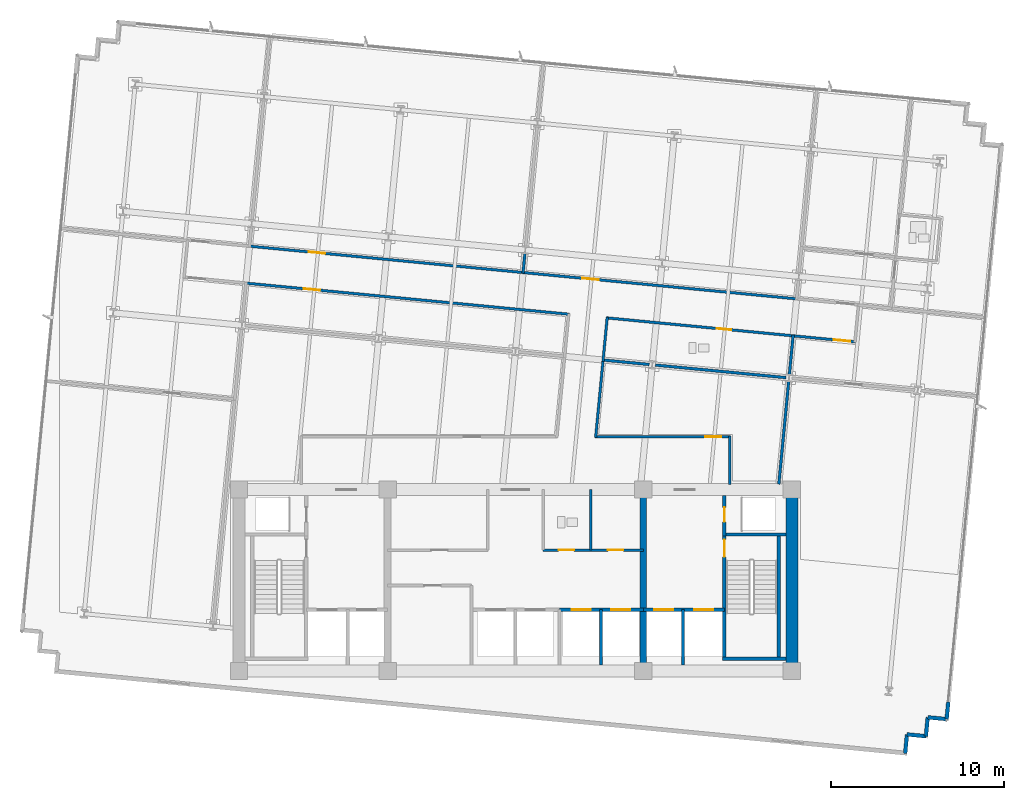
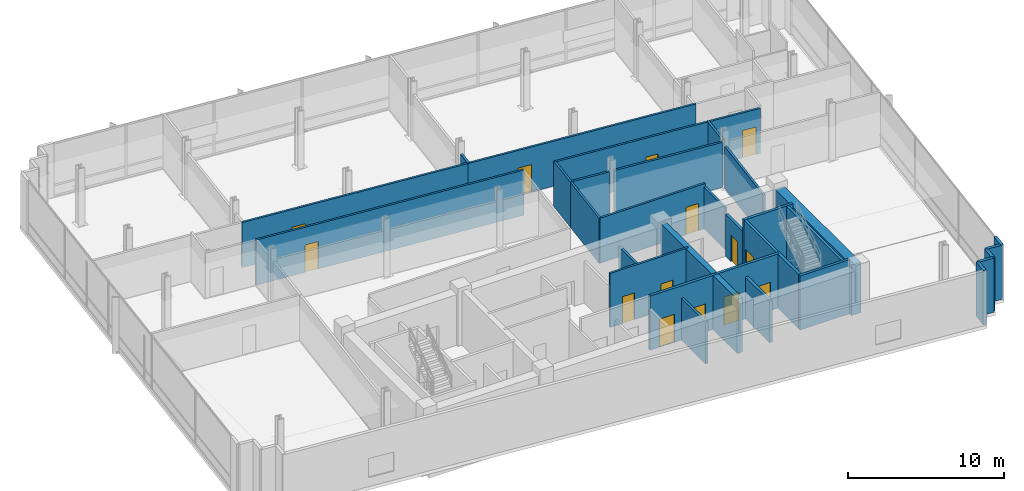
# One storey, part 12 of 17: 32 walls, 14 doors, 14 openings.
"""IFC4 building model written with IfcOpenShell, lengths in metres."""

from ifc_helpers import new_model, si_unit, direction, frame, frame_2d, origin, place, context, subcontext, project, spatial, rectangle, extrude, material, layer, layer_set, type_object, element, fill, save


model = new_model("IFC4")

# Units and contexts
model_context = context("Model", 3, precision=1e-05, world=origin(), true_north=direction((0.0, 1.0)))
body_context = subcontext(model_context, "Body", "Model", "MODEL_VIEW")
ifc_project = project(units=[si_unit("LENGTHUNIT", "METRE"), si_unit("AREAUNIT", "SQUARE_METRE"), si_unit("VOLUMEUNIT", "CUBIC_METRE"), si_unit("PLANEANGLEUNIT", "RADIAN"), si_unit("MASSUNIT", "GRAM", prefix="KILO")], contexts=[model_context])

# Site, building, storey
site_placement = place(None, origin())
site = spatial("IfcSite", under=ifc_project, at=site_placement, CompositionType="ELEMENT")
building_placement = place(site_placement, origin())
building = spatial("IfcBuilding", under=site, at=building_placement, Name="Solmavex Isthmus Hotel", CompositionType="ELEMENT")
storey_placement = place(building_placement, frame((0.0, 0.0, 177.300048828125)))
storey = spatial("IfcBuildingStorey", under=building, at=storey_placement, Name="L48", CompositionType="ELEMENT", Elevation=177.300048828125)

# Walls
ifc_material_1 = material(Name="Precast Concrete C40/50", Category="concrete")
ifc_layer_1 = layer(ifc_material_1, 0.25)
ifc_layer_set_1 = layer_set([ifc_layer_1], Name="Precast Concrete C40/50")
wall_type_1 = type_object("IfcWallType", Name="EW-TWR-250", PredefinedType="STANDARD", material=ifc_layer_set_1)
wall_1_placement = place(storey_placement, frame((25.0615234375, -14.804931640625, 0.0), z_axis=(0.0, 0.0, 1.0), x_axis=(-0.095914428506, -0.995389583231, 0.0)))
element("IfcWall", 1, at=wall_1_placement, inside=storey, type_object=wall_type_1, Name="Serrated Corner Facade Panel L48-21", PredefinedType="STANDARD", context=body_context, shape_type="SweptSolid", body=[
    extrude(rectangle(XDim=0.990234375, YDim=0.219970703125, at=frame_2d((0.4951171875, 0.0))), origin(), (0.0, 0.0, 1.0), 4.239990234375),
])
for number, where, z_axis, x_axis, name in (
    (2, (24.966552734375, -15.79052734375, 0.0), (0.0, 0.0, 1.0), (-0.995393156894, 0.095877334176, 0.0), "Serrated Corner Facade Panel L48-22"),
    (3, (23.87158203125, -15.68505859375, 0.0), (0.0, 0.0, 1.0), (-0.095877334176, -0.995393156894, 0.0), "Serrated Corner Facade Panel L48-23"),
    (4, (23.76611328125, -16.780029296875, 0.0), (0.0, 0.0, 1.0), (-0.995393156894, 0.095877334176, 0.0), "Serrated Corner Facade Panel L48-24"),
    (5, (22.671142578125, -16.674560546875, 0.0), (0.0, 0.0, 1.0), (-0.095657429048, -0.995414313875, 0.0), "Serrated Corner Facade Panel L48-25"),
):
    element("IfcWall", number, at=place(storey_placement, frame(where, z_axis=z_axis, x_axis=x_axis)), inside=storey, type_object=wall_type_1, Name=name, PredefinedType="STANDARD", context=body_context, shape_type="SweptSolid", body=[
        extrude(rectangle(XDim=1.10009765625, YDim=0.219970703125, at=frame_2d((0.550048828125, 0.0))), origin(), (0.0, 0.0, 1.0), 4.239990234375),
    ])
ifc_material_2 = material(Name="Gypsum plasterboard lining", Category="gypsum")
ifc_layer_2 = layer(ifc_material_2, 0.159912109375)
ifc_layer_set_2 = layer_set([ifc_layer_2], Name="Gypsum plasterboard lining")
wall_type_2 = type_object("IfcWallType", Name="IW-COMP-160", PredefinedType="PARTITIONING", material=ifc_layer_set_2)
wall_2_placement = place(storey_placement, frame((0.55078125, 11.196044921875, 0.0), z_axis=(0.0, 0.0, 1.0), x_axis=(-0.096017994315, -0.995379598328, 0.0)))
element("IfcWall", 6, at=wall_2_placement, inside=storey, type_object=wall_type_2, Name="Interior Partition Wall W-L48-P023", PredefinedType="PARTITIONING", context=body_context, shape_type="SweptSolid", body=[
    extrude(rectangle(XDim=1.172119140625, YDim=0.159912109375, at=frame_2d((0.5859375, 0.0))), origin(), (0.0, 0.0, 1.0), 3.529541015625),
])
wall_3_placement = place(storey_placement, frame((16.07861328125, 6.44384765625, 0.0), z_axis=(0.0, 0.0, 1.0), x_axis=(-0.095794827695, -0.995401100555, 0.0)))
element("IfcWall", 7, at=wall_3_placement, inside=storey, type_object=wall_type_2, Name="Interior Partition Wall W-L48-P039", PredefinedType="PARTITIONING", context=body_context, shape_type="SweptSolid", body=[
    extrude(rectangle(XDim=2.314208984375, YDim=0.159912109375, at=frame_2d((1.1572265625, 0.0))), origin(), (0.0, 0.0, 1.0), 3.529541015625),
])
wall_4_placement = place(storey_placement, frame((7.745361328125, 4.74462890625, 0.0), z_axis=(0.0, 0.0, 1.0), x_axis=(-0.995392910691, 0.095879890208, 0.0)))
element("IfcWall", 8, at=wall_4_placement, inside=storey, type_object=wall_type_2, Name="Interior Partition Wall W-L48-P040", PredefinedType="PARTITIONING", context=body_context, shape_type="SweptSolid", body=[
    extrude(rectangle(XDim=2.721923828125, YDim=0.159912109375, at=frame_2d((1.36083984375, 0.0))), origin(), (0.0, 0.0, 1.0), 3.529541015625),
])
wall_5_placement = place(storey_placement, frame((15.664794921875, 3.982177734375, 0.0), z_axis=(0.0, 0.0, 1.0), x_axis=(-0.995396667246, 0.095840882902, 0.0)))
element("IfcWall", 9, at=wall_5_placement, inside=storey, type_object=wall_type_2, Name="Interior Partition Wall W-L48-P041", PredefinedType="PARTITIONING", context=body_context, shape_type="SweptSolid", body=[
    extrude(rectangle(XDim=7.603759765625, YDim=0.159912109375, at=frame_2d((3.8017578125, 0.0))), origin(), (0.0, 0.0, 1.0), 3.529541015625),
])
wall_6_placement = place(storey_placement, frame((15.8232421875, 3.7900390625, 0.0), z_axis=(0.0, 0.0, 1.0), x_axis=(-0.095865726078, -0.99539427493, 0.0)))
element("IfcWall", 10, at=wall_6_placement, inside=storey, type_object=wall_type_2, Name="Interior Partition Wall W-L48-P048", PredefinedType="PARTITIONING", context=body_context, shape_type="SweptSolid", body=[
    extrude(rectangle(XDim=6.007568359375, YDim=0.159912109375, at=frame_2d((3.00390625, 0.0))), origin(), (0.0, 0.0, 1.0), 3.27490234375),
])

# Wall, openings, doors
ifc_layer_3 = layer(ifc_material_2, 0.14990234375)
ifc_layer_set_3 = layer_set([ifc_layer_3], Name="Gypsum plasterboard lining")
wall_type_3 = type_object("IfcWallType", Name="IW-CORR-150", PredefinedType="PARTITIONING", material=ifc_layer_set_3)
wall_7_placement = place(storey_placement, frame((1.60009765625, -6.0, 0.0), z_axis=(0.0, 0.0, 1.0), x_axis=(1.0, 0.0, 0.0)))
wall_7 = element("IfcWall", 11, at=wall_7_placement, inside=storey, type_object=wall_type_3, Name="Interior Partition Wall W-L48-BOH-ES", PredefinedType="PARTITIONING", context=body_context, shape_type="SweptSolid", body=[
    extrude(rectangle(XDim=5.7998046875, YDim=0.14990234375, at=frame_2d((2.89990234375, 0.0))), origin(), (0.0, 0.0, 1.0), 4.239990234375),
])
opening_1_placement = place(wall_7_placement, frame((0.89990234375, 0.0, 0.0)))
opening_1 = element("IfcOpeningElement", 12, at=opening_1_placement, cuts=wall_7, Name="Opening ID-C090", PredefinedType="OPENING", context=body_context, shape_type="SweptSolid", body=[
    extrude(rectangle(XDim=0.89990234375, YDim=2.10009765625, at=frame_2d((0.449951171875, 1.050048828125))), frame((0.0, 0.0849609375, 0.0), z_axis=(0.0, -1.0, 0.0), x_axis=(1.0, 0.0, 0.0)), (0.0, 0.0, 1.0), 0.169921875),
])
opening_2_placement = place(wall_7_placement, frame((3.75, 0.0, 0.0)))
opening_2 = element("IfcOpeningElement", 13, at=opening_2_placement, cuts=wall_7, Name="Opening ID-C090", PredefinedType="OPENING", context=body_context, shape_type="SweptSolid", body=[
    extrude(rectangle(XDim=0.89990234375, YDim=2.10009765625, at=frame_2d((0.449951171875, 1.050048828125))), frame((0.0, 0.0849609375, 0.0), z_axis=(0.0, -1.0, 0.0), x_axis=(1.0, 0.0, 0.0)), (0.0, 0.0, 1.0), 0.169921875),
])
ifc_material_3 = material(Name="Hardwood timber", Category="wood")
door_type_1 = type_object("IfcDoorType", Name="IDR-FD60-0900", OperationType="NOTDEFINED", PredefinedType="DOOR", material=ifc_material_3)
door_1_placement = place(opening_1_placement, frame((0.89990234375, 0.0, 0.0), z_axis=(0.0, 0.0, 1.0), x_axis=(-1.0, 0.0, 0.0)))
door_1 = element("IfcDoor", 14, at=door_1_placement, inside=storey, type_object=door_type_1, Name="Staff WC Door L48", OperationType="SINGLE_SWING_RIGHT", OverallHeight=2.10009765625, OverallWidth=0.89990234375, PredefinedType="DOOR", context=body_context, shape_type="SweptSolid", body=[
    extrude(rectangle(XDim=0.89990234375, YDim=2.10009765625, at=frame_2d((0.449951171875, 1.050048828125))), frame((0.0, 0.02490234375, 0.0), z_axis=(0.0, -1.0, 0.0), x_axis=(1.0, 0.0, 0.0)), (0.0, 0.0, 1.0), 0.050048828125),
])
fill(opening_1, door_1)
door_2_placement = place(opening_2_placement, frame((0.89990234375, 0.0, 0.0), z_axis=(0.0, 0.0, 1.0), x_axis=(-1.0, 0.0, 0.0)))
door_2 = element("IfcDoor", 15, at=door_2_placement, inside=storey, type_object=door_type_1, Name="Pantry Door L48", OperationType="SINGLE_SWING_LEFT", OverallHeight=2.10009765625, OverallWidth=0.89990234375, PredefinedType="DOOR", context=body_context, shape_type="SweptSolid", body=[
    extrude(rectangle(XDim=0.89990234375, YDim=2.10009765625, at=frame_2d((0.449951171875, 1.050048828125))), frame((0.0, 0.02490234375, 0.0), z_axis=(0.0, -1.0, 0.0), x_axis=(1.0, 0.0, 0.0)), (0.0, 0.0, 1.0), 0.050048828125),
])
fill(opening_2, door_2)

# Wall, opening, door
wall_8_placement = place(storey_placement, frame((-15.478271484375, 11.60205078125, 0.0), z_axis=(0.0, 0.0, 1.0), x_axis=(0.995396443768, -0.095843203903, 0.0)))
wall_8 = element("IfcWall", 16, at=wall_8_placement, inside=storey, type_object=wall_type_3, Name="Interior Partition Wall W-L48-P002", PredefinedType="PARTITIONING", context=body_context, shape_type="SweptSolid", body=[
    extrude(rectangle(XDim=16.075927734375, YDim=0.14990234375, at=frame_2d((8.0380859375, 0.0))), origin(), (0.0, 0.0, 1.0), 3.529541015625),
])
opening_3_placement = place(wall_8_placement, frame((3.531982421875, 0.0, 0.0)))
opening_3 = element("IfcOpeningElement", 17, at=opening_3_placement, cuts=wall_8, Name="Opening ID-C095", PredefinedType="OPENING", context=body_context, shape_type="SweptSolid", body=[
    extrude(rectangle(XDim=0.949951171875, YDim=2.14990234375, at=frame_2d((0.47509765625, 1.074951171875))), frame((0.0, 0.0849609375, 0.0), z_axis=(0.0, -1.0, 0.0), x_axis=(1.0, 0.0, 0.0)), (0.0, 0.0, 1.0), 0.169921875),
])
door_type_2 = type_object("IfcDoorType", Name="IDR-FD60-0950", OperationType="NOTDEFINED", PredefinedType="DOOR", material=ifc_material_3)
door_3_placement = place(opening_3_placement, frame((0.949951171875, 0.0, 0.0), z_axis=(0.0, 0.0, 1.0), x_axis=(-1.0, 0.0, 0.0)))
door_3 = element("IfcDoor", 18, at=door_3_placement, inside=storey, type_object=door_type_2, Name="Corporate Briefing Office Door L48-02", OperationType="SINGLE_SWING_RIGHT", OverallHeight=2.14990234375, OverallWidth=0.949951171875, PredefinedType="DOOR", context=body_context, shape_type="SweptSolid", body=[
    extrude(rectangle(XDim=0.949951171875, YDim=2.14990234375, at=frame_2d((0.47509765625, 1.074951171875))), frame((0.0, 0.02490234375, 0.0), z_axis=(0.0, -1.0, 0.0), x_axis=(1.0, 0.0, 0.0)), (0.0, 0.0, 1.0), 0.050048828125),
])
fill(opening_3, door_3)

wall_9_placement = place(storey_placement, frame((0.360595703125, 10.076904296875, 0.0), z_axis=(0.0, 0.0, 1.0), x_axis=(0.995396443768, -0.095843203903, 0.0)))
wall_9 = element("IfcWall", 19, at=wall_9_placement, inside=storey, type_object=wall_type_3, Name="Interior Partition Wall W-L48-P003", PredefinedType="PARTITIONING", context=body_context, shape_type="SweptSolid", body=[
    extrude(rectangle(XDim=16.075927734375, YDim=0.14990234375, at=frame_2d((8.0380859375, 0.0))), origin(), (0.0, 0.0, 1.0), 3.529541015625),
])
opening_4_placement = place(wall_9_placement, frame((3.531982421875, 0.0, 0.0)))
opening_4 = element("IfcOpeningElement", 20, at=opening_4_placement, cuts=wall_9, Name="Opening ID-C095", PredefinedType="OPENING", context=body_context, shape_type="SweptSolid", body=[
    extrude(rectangle(XDim=0.949951171875, YDim=2.14990234375, at=frame_2d((0.47509765625, 1.074951171875))), frame((0.0, 0.0849609375, 0.0), z_axis=(0.0, -1.0, 0.0), x_axis=(1.0, 0.0, 0.0)), (0.0, 0.0, 1.0), 0.169921875),
])
door_4_placement = place(opening_4_placement, frame((0.949951171875, 0.0, 0.0), z_axis=(0.0, 0.0, 1.0), x_axis=(-1.0, 0.0, 0.0)))
door_4 = element("IfcDoor", 21, at=door_4_placement, inside=storey, type_object=door_type_2, Name="Corporate Briefing Office Door L48-03", OperationType="SINGLE_SWING_LEFT", OverallHeight=2.14990234375, OverallWidth=0.949951171875, PredefinedType="DOOR", context=body_context, shape_type="SweptSolid", body=[
    extrude(rectangle(XDim=0.949951171875, YDim=2.14990234375, at=frame_2d((0.47509765625, 1.074951171875))), frame((0.0, 0.02490234375, 0.0), z_axis=(0.0, -1.0, 0.0), x_axis=(1.0, 0.0, 0.0)), (0.0, 0.0, 1.0), 0.050048828125),
])
fill(opening_4, door_4)

wall_10_placement = place(storey_placement, frame((16.156494140625, 6.39599609375, 0.0), z_axis=(0.0, 0.0, 1.0), x_axis=(-0.99539478422, 0.095860437863, 0.0)))
wall_10 = element("IfcWall", 22, at=wall_10_placement, inside=storey, type_object=wall_type_3, Name="Interior Partition Wall W-L48-P005", PredefinedType="PARTITIONING", context=body_context, shape_type="SweptSolid", body=[
    extrude(rectangle(XDim=10.93603515625, YDim=0.14990234375, at=frame_2d((5.468017578125, 0.0))), origin(), (0.0, 0.0, 1.0), 3.529541015625),
])
opening_5_placement = place(wall_10_placement, frame((3.675048828125, 0.0, 0.0)))
opening_5 = element("IfcOpeningElement", 23, at=opening_5_placement, cuts=wall_10, Name="Opening ID-R085", PredefinedType="OPENING", context=body_context, shape_type="SweptSolid", body=[
    extrude(rectangle(XDim=0.85009765625, YDim=2.050048828125, at=frame_2d((0.425048828125, 1.02490234375))), frame((0.0, 0.0849609375, 0.0), z_axis=(0.0, -1.0, 0.0), x_axis=(1.0, 0.0, 0.0)), (0.0, 0.0, 1.0), 0.169921875),
])
ifc_material_4 = material(Name="Steel ASTM A500 Grade C", Category="steel")
door_type_3 = type_object("IfcDoorType", Name="IDR-FD60-0850", OperationType="NOTDEFINED", PredefinedType="DOOR", material=ifc_material_4)
door_5_placement = place(opening_5_placement, frame((0.85009765625, 0.0, 0.0), z_axis=(0.0, 0.0, 1.0), x_axis=(-1.0, 0.0, 0.0)))
door_5 = element("IfcDoor", 24, at=door_5_placement, inside=storey, type_object=door_type_3, Name="Accessible Public Restroom WC Door L48-08", OperationType="SINGLE_SWING_RIGHT", OverallHeight=2.050048828125, OverallWidth=0.85009765625, PredefinedType="DOOR", context=body_context, shape_type="SweptSolid", body=[
    extrude(rectangle(XDim=0.85009765625, YDim=2.050048828125, at=frame_2d((0.425048828125, 1.02490234375))), frame((0.0, 0.02490234375, 0.0), z_axis=(0.0, -1.0, 0.0), x_axis=(1.0, 0.0, 0.0)), (0.0, 0.0, 1.0), 0.050048828125),
])
fill(opening_5, door_5)

# Wall
wall_11_placement = place(storey_placement, frame((5.314453125, 7.480224609375, 0.0), z_axis=(0.0, 0.0, 1.0), x_axis=(-0.09587519517, -0.995393362923, 0.0)))
element("IfcWall", 25, at=wall_11_placement, inside=storey, type_object=wall_type_3, Name="Interior Partition Wall W-L48-P006", PredefinedType="PARTITIONING", context=body_context, shape_type="SweptSolid", body=[
    extrude(rectangle(XDim=2.572021484375, YDim=0.14990234375, at=frame_2d((1.2861328125, 0.0))), origin(), (0.0, 0.0, 1.0), 3.529541015625),
])

# Wall, opening, door
wall_12_placement = place(storey_placement, frame((19.697998046875, 6.05517578125, 0.0), z_axis=(0.0, 0.0, 1.0), x_axis=(-0.995397364202, 0.095833644092, 0.0)))
wall_12 = element("IfcWall", 26, at=wall_12_placement, inside=storey, type_object=wall_type_3, Name="Interior Partition Wall W-L48-P008", PredefinedType="PARTITIONING", context=body_context, shape_type="SweptSolid", body=[
    extrude(rectangle(XDim=3.721923828125, YDim=0.14990234375, at=frame_2d((1.86083984375, 0.0))), origin(), (0.0, 0.0, 1.0), 3.529541015625),
])
opening_6_placement = place(wall_12_placement, frame((0.315185546875, 0.0, 0.0)))
opening_6 = element("IfcOpeningElement", 27, at=opening_6_placement, cuts=wall_12, Name="Opening ID-C095", PredefinedType="OPENING", context=body_context, shape_type="SweptSolid", body=[
    extrude(rectangle(XDim=0.949951171875, YDim=2.14990234375, at=frame_2d((0.47509765625, 1.074951171875))), frame((0.0, 0.0849609375, 0.0), z_axis=(0.0, -1.0, 0.0), x_axis=(1.0, 0.0, 0.0)), (0.0, 0.0, 1.0), 0.169921875),
])
door_6_placement = place(opening_6_placement, frame((0.949951171875, 0.0, 0.0), z_axis=(0.0, 0.0, 1.0), x_axis=(-1.0, 0.0, 0.0)))
door_6 = element("IfcDoor", 28, at=door_6_placement, inside=storey, type_object=door_type_2, Name="Catering Servery Kitchen Door L48-09", OperationType="SINGLE_SWING_LEFT", OverallHeight=2.14990234375, OverallWidth=0.949951171875, PredefinedType="DOOR", context=body_context, shape_type="SweptSolid", body=[
    extrude(rectangle(XDim=0.949951171875, YDim=2.14990234375, at=frame_2d((0.47509765625, 1.074951171875))), frame((0.0, 0.02490234375, 0.0), z_axis=(0.0, -1.0, 0.0), x_axis=(1.0, 0.0, 0.0)), (0.0, 0.0, 1.0), 0.050048828125),
])
fill(opening_6, door_6)

wall_13_placement = place(storey_placement, frame((3.120849609375, 7.6513671875, 0.0), z_axis=(0.0, 0.0, 1.0), x_axis=(-0.995397135603, 0.095836018457, 0.0)))
wall_13 = element("IfcWall", 29, at=wall_13_placement, inside=storey, type_object=wall_type_3, Name="Interior Partition Wall W-L48-P010", PredefinedType="PARTITIONING", context=body_context, shape_type="SweptSolid", body=[
    extrude(rectangle(XDim=18.89208984375, YDim=0.14990234375, at=frame_2d((9.446044921875, 0.0))), origin(), (0.0, 0.0, 1.0), 3.529541015625),
])
opening_7_placement = place(wall_13_placement, frame((14.501708984375, 0.0, 0.0)))
opening_7 = element("IfcOpeningElement", 30, at=opening_7_placement, cuts=wall_13, Name="Opening ID-C095", PredefinedType="OPENING", context=body_context, shape_type="SweptSolid", body=[
    extrude(rectangle(XDim=0.949951171875, YDim=2.14990234375, at=frame_2d((0.47509765625, 1.074951171875))), frame((0.0, 0.0849609375, 0.0), z_axis=(0.0, -1.0, 0.0), x_axis=(1.0, 0.0, 0.0)), (0.0, 0.0, 1.0), 0.169921875),
])
door_7_placement = place(opening_7_placement, frame((0.949951171875, 0.0, 0.0), z_axis=(0.0, 0.0, 1.0), x_axis=(-1.0, 0.0, 0.0)))
door_7 = element("IfcDoor", 31, at=door_7_placement, inside=storey, type_object=door_type_2, Name="Consultation Treatment Room Door L48-10", OperationType="SINGLE_SWING_RIGHT", OverallHeight=2.14990234375, OverallWidth=0.949951171875, PredefinedType="DOOR", context=body_context, shape_type="SweptSolid", body=[
    extrude(rectangle(XDim=0.949951171875, YDim=2.14990234375, at=frame_2d((0.47509765625, 1.074951171875))), frame((0.0, 0.02490234375, 0.0), z_axis=(0.0, -1.0, 0.0), x_axis=(1.0, 0.0, 0.0)), (0.0, 0.0, 1.0), 0.050048828125),
])
fill(opening_7, door_7)

# Wall
wall_14_placement = place(storey_placement, frame((5.083740234375, 5.083251953125, 0.0), z_axis=(0.0, 0.0, 1.0), x_axis=(-0.095867331855, -0.995394120277, 0.0)))
element("IfcWall", 32, at=wall_14_placement, inside=storey, type_object=wall_type_3, Name="Interior Partition Wall W-L48-P011", PredefinedType="PARTITIONING", context=body_context, shape_type="SweptSolid", body=[
    extrude(rectangle(XDim=4.59423828125, YDim=0.14990234375, at=frame_2d((2.297119140625, 0.0))), origin(), (0.0, 0.0, 1.0), 3.529541015625),
])

# Wall, opening, door
wall_15_placement = place(storey_placement, frame((4.607177734375, 0.550048828125, 0.0), z_axis=(0.0, 0.0, 1.0), x_axis=(1.0, 0.0, 0.0)))
wall_15 = element("IfcWall", 33, at=wall_15_placement, inside=storey, type_object=wall_type_3, Name="Interior Partition Wall W-L48-P012", PredefinedType="PARTITIONING", context=body_context, shape_type="SweptSolid", body=[
    extrude(rectangle(XDim=7.832763671875, YDim=0.14990234375, at=frame_2d((3.91650390625, 0.0))), origin(), (0.0, 0.0, 1.0), 3.529541015625),
])
opening_8_placement = place(wall_15_placement, frame((6.3720703125, 0.0, 0.0)))
opening_8 = element("IfcOpeningElement", 34, at=opening_8_placement, cuts=wall_15, Name="Opening ID-C095", PredefinedType="OPENING", context=body_context, shape_type="SweptSolid", body=[
    extrude(rectangle(XDim=0.949951171875, YDim=2.14990234375, at=frame_2d((0.47509765625, 1.074951171875))), frame((0.0, 0.0849609375, 0.0), z_axis=(0.0, -1.0, 0.0), x_axis=(1.0, 0.0, 0.0)), (0.0, 0.0, 1.0), 0.169921875),
])
door_8_placement = place(opening_8_placement, origin())
door_8 = element("IfcDoor", 35, at=door_8_placement, inside=storey, type_object=door_type_2, Name="Catering Servery Kitchen Door L48-11", OperationType="SINGLE_SWING_LEFT", OverallHeight=2.14990234375, OverallWidth=0.949951171875, PredefinedType="DOOR", context=body_context, shape_type="SweptSolid", body=[
    extrude(rectangle(XDim=0.949951171875, YDim=2.14990234375, at=frame_2d((0.47509765625, 1.074951171875))), frame((0.0, 0.02490234375, 0.0), z_axis=(0.0, -1.0, 0.0), x_axis=(1.0, 0.0, 0.0)), (0.0, 0.0, 1.0), 0.050048828125),
])
fill(opening_8, door_8)

# Walls
wall_16_placement = place(storey_placement, frame((12.39990234375, 0.590087890625, 0.0), z_axis=(0.0, 0.0, 1.0), x_axis=(0.0, -1.0, 0.0)))
element("IfcWall", 36, at=wall_16_placement, inside=storey, type_object=wall_type_3, Name="Interior Partition Wall W-L48-P013", PredefinedType="PARTITIONING", context=body_context, shape_type="SweptSolid", body=[
    extrude(rectangle(XDim=2.780029296875, YDim=0.14990234375, at=frame_2d((1.39013671875, 0.0))), origin(), (0.0, 0.0, 1.0), 3.27490234375),
])
ifc_layer_4 = layer(ifc_material_2, 0.1201171875)
ifc_layer_set_4 = layer_set([ifc_layer_4], Name="Gypsum plasterboard lining")
wall_type_4 = type_object("IfcWallType", Name="IW-PART-120", PredefinedType="PARTITIONING", material=ifc_layer_set_4)
wall_17_placement = place(storey_placement, frame((4.35009765625, -6.0, 0.0), z_axis=(0.0, 0.0, 1.0), x_axis=(0.0, 1.0, 0.0)))
element("IfcWall", 37, at=wall_17_placement, inside=storey, type_object=wall_type_4, Name="Interior Partition Wall W-L48-BOH-EM0", PredefinedType="PARTITIONING", context=body_context, shape_type="SweptSolid", body=[
    extrude(rectangle(XDim=3.5, YDim=0.14990234375, at=frame_2d((1.75, 0.0))), origin(), (0.0, 0.0, 1.0), 3.27490234375),
])
ifc_material_5 = material(Name="Concrete C40/50", Category="concrete")
ifc_layer_5 = layer(ifc_material_5, 0.179931640625)
ifc_layer_set_5 = layer_set([ifc_layer_5], Name="Concrete C40/50")
wall_type_5 = type_object("IfcWallType", Name="IW-SHAFT-180", PredefinedType="PARTITIONING", material=ifc_layer_set_5)
wall_18_placement = place(storey_placement, frame((4.949951171875, -12.64990234375, 0.0), z_axis=(0.0, 0.0, 1.0), x_axis=(0.0, 1.0, 0.0)))
element("IfcWall", 38, at=wall_18_placement, inside=storey, type_object=wall_type_5, Name="Interior Partition Wall W-L48-SH-PLH-M", PredefinedType="PARTITIONING", context=body_context, shape_type="SweptSolid", body=[
    extrude(rectangle(XDim=3.199951171875, YDim=0.179931640625, at=frame_2d((1.60009765625, 0.0))), origin(), (0.0, 0.0, 1.0), 3.27490234375),
])

# Wall, opening, door
ifc_layer_6 = layer(ifc_material_5, 0.199951171875)
ifc_layer_set_6 = layer_set([ifc_layer_6], Name="Concrete C40/50")
wall_type_6 = type_object("IfcWallType", Name="IW-SHAFT-200", PredefinedType="PARTITIONING", material=ifc_layer_set_6)
wall_19_placement = place(storey_placement, frame((12.10009765625, -5.199951171875, 0.0), z_axis=(0.0, 0.0, 1.0), x_axis=(0.0, 1.0, 0.0)))
wall_19 = element("IfcWall", 39, at=wall_19_placement, inside=storey, type_object=wall_type_6, Name="Interior Partition Wall W-L48-RSE-W", PredefinedType="PARTITIONING", context=body_context, shape_type="SweptSolid", body=[
    extrude(rectangle(XDim=2.349853515625, YDim=0.199951171875, at=frame_2d((1.1748046875, 0.0))), origin(), (0.0, 0.0, 1.0), 3.27490234375),
])
opening_9_placement = place(wall_19_placement, frame((0.824951171875, 0.0, 0.0)))
opening_9 = element("IfcOpeningElement", 40, at=opening_9_placement, cuts=wall_19, Name="Opening ID-R085", PredefinedType="OPENING", context=body_context, shape_type="SweptSolid", body=[
    extrude(rectangle(XDim=0.85009765625, YDim=2.050048828125, at=frame_2d((0.425048828125, 1.02490234375))), frame((0.0, 0.10986328125, 0.0), z_axis=(0.0, -1.0, 0.0), x_axis=(1.0, 0.0, 0.0)), (0.0, 0.0, 1.0), 0.219970703125),
])
door_9_placement = place(opening_9_placement, frame((0.85009765625, 0.0, 0.0), z_axis=(0.0, 0.0, 1.0), x_axis=(-1.0, 0.0, 0.0)))
door_9 = element("IfcDoor", 41, at=door_9_placement, inside=storey, type_object=door_type_3, Name="Mechanical Riser Door L48", OperationType="SINGLE_SWING_LEFT", OverallHeight=2.050048828125, OverallWidth=0.85009765625, PredefinedType="DOOR", context=body_context, shape_type="SweptSolid", body=[
    extrude(rectangle(XDim=0.85009765625, YDim=2.050048828125, at=frame_2d((0.425048828125, 1.02490234375))), frame((0.0, 0.02490234375, 0.0), z_axis=(0.0, -1.0, 0.0), x_axis=(1.0, 0.0, 0.0)), (0.0, 0.0, 1.0), 0.050048828125),
])
fill(opening_9, door_9)

# Wall, openings, doors
wall_20_placement = place(storey_placement, frame((7.39990234375, -9.449951171875, 0.0), z_axis=(0.0, 0.0, 1.0), x_axis=(1.0, 0.0, 0.0)))
wall_20 = element("IfcWall", 42, at=wall_20_placement, inside=storey, type_object=wall_type_6, Name="Interior Partition Wall W-L48-FFLE-S", PredefinedType="PARTITIONING", context=body_context, shape_type="SweptSolid", body=[
    extrude(rectangle(XDim=4.7001953125, YDim=0.199951171875, at=frame_2d((2.35009765625, 0.0))), origin(), (0.0, 0.0, 1.0), 4.239990234375),
])
opening_10_placement = place(wall_20_placement, frame((2.949951171875, 0.0, 0.0)))
opening_10 = element("IfcOpeningElement", 43, at=opening_10_placement, cuts=wall_20, Name="Opening LD-FF", PredefinedType="OPENING", context=body_context, shape_type="SweptSolid", body=[
    extrude(rectangle(XDim=1.10009765625, YDim=2.199951171875, at=frame_2d((0.550048828125, 1.10009765625))), frame((0.0, 0.10986328125, 0.0), z_axis=(0.0, -1.0, 0.0), x_axis=(1.0, 0.0, 0.0)), (0.0, 0.0, 1.0), 0.219970703125),
])
opening_11_placement = place(wall_20_placement, frame((0.64990234375, 0.0, 0.0)))
opening_11 = element("IfcOpeningElement", 44, at=opening_11_placement, cuts=wall_20, Name="Opening LD-SV", PredefinedType="OPENING", context=body_context, shape_type="SweptSolid", body=[
    extrude(rectangle(XDim=1.10009765625, YDim=2.199951171875, at=frame_2d((0.550048828125, 1.10009765625))), frame((0.0, 0.10986328125, 0.0), z_axis=(0.0, -1.0, 0.0), x_axis=(1.0, 0.0, 0.0)), (0.0, 0.0, 1.0), 0.219970703125),
])
ifc_material_6 = material(Name="Stainless steel 316", Category="steel")
door_type_4 = type_object("IfcDoorType", Name="LDR-FF-1100", OperationType="NOTDEFINED", PredefinedType="DOOR", material=ifc_material_6)
door_10_placement = place(opening_10_placement, origin())
door_10 = element("IfcDoor", 45, at=door_10_placement, inside=storey, type_object=door_type_4, Name="Lift Landing Door FFL-2 L48", OperationType="SLIDING_TO_LEFT", OverallHeight=2.199951171875, OverallWidth=1.10009765625, PredefinedType="DOOR", context=body_context, shape_type="SweptSolid", body=[
    extrude(rectangle(XDim=1.10009765625, YDim=2.199951171875, at=frame_2d((0.550048828125, 1.10009765625))), frame((0.0, 0.02490234375, 0.0), z_axis=(0.0, -1.0, 0.0), x_axis=(1.0, 0.0, 0.0)), (0.0, 0.0, 1.0), 0.050048828125),
])
fill(opening_10, door_10)
door_type_5 = type_object("IfcDoorType", Name="LDR-SV-1100", OperationType="NOTDEFINED", PredefinedType="DOOR", material=ifc_material_6)
door_11_placement = place(opening_11_placement, origin())
door_11 = element("IfcDoor", 46, at=door_11_placement, inside=storey, type_object=door_type_5, Name="Lift Landing Door SVL-2 L48", OperationType="SLIDING_TO_RIGHT", OverallHeight=2.199951171875, OverallWidth=1.10009765625, PredefinedType="DOOR", context=body_context, shape_type="SweptSolid", body=[
    extrude(rectangle(XDim=1.10009765625, YDim=2.199951171875, at=frame_2d((0.550048828125, 1.10009765625))), frame((0.0, 0.02490234375, 0.0), z_axis=(0.0, -1.0, 0.0), x_axis=(1.0, 0.0, 0.0)), (0.0, 0.0, 1.0), 0.050048828125),
])
fill(opening_11, door_11)

# Wall
wall_21_placement = place(storey_placement, frame((9.699951171875, -12.64990234375, 0.0), z_axis=(0.0, 0.0, 1.0), x_axis=(0.0, 1.0, 0.0)))
element("IfcWall", 47, at=wall_21_placement, inside=storey, type_object=wall_type_6, Name="Interior Partition Wall W-L48-FFLE-M", PredefinedType="PARTITIONING", context=body_context, shape_type="SweptSolid", body=[
    extrude(rectangle(XDim=3.199951171875, YDim=0.199951171875, at=frame_2d((1.60009765625, 0.0))), origin(), (0.0, 0.0, 1.0), 3.27490234375),
])

# Wall, openings, doors
wall_22_placement = place(storey_placement, frame((2.550048828125, -9.449951171875, 0.0), z_axis=(0.0, 0.0, 1.0), x_axis=(1.0, 0.0, 0.0)))
wall_22 = element("IfcWall", 48, at=wall_22_placement, inside=storey, type_object=wall_type_6, Name="Interior Partition Wall W-L48-SH-PLH", PredefinedType="PARTITIONING", context=body_context, shape_type="SweptSolid", body=[
    extrude(rectangle(XDim=4.849853515625, YDim=0.199951171875, at=frame_2d((2.4248046875, 0.0))), origin(), (0.0, 0.0, 1.0), 4.239990234375),
])
opening_12_placement = place(wall_22_placement, frame((0.699951171875, 0.0, 0.0)))
opening_12 = element("IfcOpeningElement", 49, at=opening_12_placement, cuts=wall_22, Name="Opening LD-PL", PredefinedType="OPENING", context=body_context, shape_type="SweptSolid", body=[
    extrude(rectangle(XDim=1.10009765625, YDim=2.199951171875, at=frame_2d((0.550048828125, 1.10009765625))), frame((0.0, 0.10986328125, 0.0), z_axis=(0.0, -1.0, 0.0), x_axis=(1.0, 0.0, 0.0)), (0.0, 0.0, 1.0), 0.219970703125),
])
opening_13_placement = place(wall_22_placement, frame((3.0, 0.0, 0.0)))
opening_13 = element("IfcOpeningElement", 50, at=opening_13_placement, cuts=wall_22, Name="Opening LD-PL", PredefinedType="OPENING", context=body_context, shape_type="SweptSolid", body=[
    extrude(rectangle(XDim=1.10009765625, YDim=2.199951171875, at=frame_2d((0.550048828125, 1.10009765625))), frame((0.0, 0.10986328125, 0.0), z_axis=(0.0, -1.0, 0.0), x_axis=(1.0, 0.0, 0.0)), (0.0, 0.0, 1.0), 0.219970703125),
])
door_type_6 = type_object("IfcDoorType", Name="LDR-PL-1100", OperationType="NOTDEFINED", PredefinedType="DOOR", material=ifc_material_6)
door_12_placement = place(opening_12_placement, origin())
door_12 = element("IfcDoor", 51, at=door_12_placement, inside=storey, type_object=door_type_6, Name="Lift Landing Door PLH1 L48", OperationType="SLIDING_TO_LEFT", OverallHeight=2.199951171875, OverallWidth=1.10009765625, PredefinedType="DOOR", context=body_context, shape_type="SweptSolid", body=[
    extrude(rectangle(XDim=1.10009765625, YDim=2.199951171875, at=frame_2d((0.550048828125, 1.10009765625))), frame((0.0, 0.02490234375, 0.0), z_axis=(0.0, -1.0, 0.0), x_axis=(1.0, 0.0, 0.0)), (0.0, 0.0, 1.0), 0.050048828125),
])
fill(opening_12, door_12)
door_13_placement = place(opening_13_placement, origin())
door_13 = element("IfcDoor", 52, at=door_13_placement, inside=storey, type_object=door_type_6, Name="Lift Landing Door PLH2 L48", OperationType="SLIDING_TO_LEFT", OverallHeight=2.199951171875, OverallWidth=1.10009765625, PredefinedType="DOOR", context=body_context, shape_type="SweptSolid", body=[
    extrude(rectangle(XDim=1.10009765625, YDim=2.199951171875, at=frame_2d((0.550048828125, 1.10009765625))), frame((0.0, 0.02490234375, 0.0), z_axis=(0.0, -1.0, 0.0), x_axis=(1.0, 0.0, 0.0)), (0.0, 0.0, 1.0), 0.050048828125),
])
fill(opening_13, door_13)

# Walls
ifc_material_7 = material(Name="Concrete C60/75", Category="concrete")
ifc_layer_7 = layer(ifc_material_7, 0.39990234375)
ifc_layer_set_7 = layer_set([ifc_layer_7], Name="Concrete C60/75")
wall_type_7 = type_object("IfcWallType", Name="WALL-CW-400M", PredefinedType="SHEAR", material=ifc_layer_set_7)
wall_23_placement = place(storey_placement, frame((7.39990234375, -12.64990234375, 0.0), z_axis=(0.0, 0.0, 1.0), x_axis=(0.0, 1.0, 0.0)))
element("IfcWall", 53, at=wall_23_placement, inside=storey, type_object=wall_type_7, Name="Core Cross Shear Wall C2 L48", PredefinedType="SHEAR", context=body_context, shape_type="SweptSolid", body=[
    extrude(rectangle(XDim=9.7998046875, YDim=0.39990234375, at=frame_2d((4.89990234375, 0.0))), origin(), (0.0, 0.0, 1.0), 4.239990234375),
])
ifc_layer_8 = layer(ifc_material_7, 0.699951171875)
ifc_layer_set_8 = layer_set([ifc_layer_8], Name="Concrete C60/75")
wall_type_8 = type_object("IfcWallType", Name="WALL-CW-700", PredefinedType="SHEAR", material=ifc_layer_set_8)
wall_24_placement = place(storey_placement, frame((16.0, -12.64990234375, 0.0), z_axis=(0.0, 0.0, 1.0), x_axis=(0.0, 1.0, 0.0)))
element("IfcWall", 54, at=wall_24_placement, inside=storey, type_object=wall_type_8, Name="Core Shear Wall East L48", PredefinedType="SHEAR", context=body_context, shape_type="SweptSolid", body=[
    extrude(rectangle(XDim=9.7998046875, YDim=0.699951171875, at=frame_2d((4.89990234375, 0.0))), origin(), (0.0, 0.0, 1.0), 3.9599609375),
])
ifc_layer_9 = layer(ifc_material_5, 0.199951171875)
ifc_layer_set_9 = layer_set([ifc_layer_9], Name="Concrete C40/50")
wall_type_9 = type_object("IfcWallType", Name="WALL-SW-200", PredefinedType="SOLIDWALL", material=ifc_layer_set_9)
for number, where, z_axis, x_axis, name in (
    (55, (12.0, -12.300048828125, 0.0), (0.0, 0.0, 1.0), (1.0, 0.0, 0.0), "Stairwell Structural Wall SW-L48-ST2-S"),
    (56, (12.0, -5.10009765625, 0.0), (0.0, 0.0, 1.0), (1.0, 0.0, 0.0), "Stairwell Structural Wall SW-L48-ST2-N"),
):
    element("IfcWall", number, at=place(storey_placement, frame(where, z_axis=z_axis, x_axis=x_axis)), inside=storey, type_object=wall_type_9, Name=name, PredefinedType="SOLIDWALL", context=body_context, shape_type="SweptSolid", body=[
        extrude(rectangle(XDim=3.64990234375, YDim=0.199951171875, at=frame_2d((1.824951171875, 0.0))), origin(), (0.0, 0.0, 1.0), 4.239990234375),
    ])

# Wall, opening, door
wall_25_placement = place(storey_placement, frame((12.10009765625, -12.199951171875, 0.0), z_axis=(0.0, 0.0, 1.0), x_axis=(0.0, 1.0, 0.0)))
wall_25 = element("IfcWall", 57, at=wall_25_placement, inside=storey, type_object=wall_type_9, Name="Stairwell Structural Wall SW-L48-ST2-W", PredefinedType="SOLIDWALL", context=body_context, shape_type="SweptSolid", body=[
    extrude(rectangle(XDim=7.0, YDim=0.199951171875, at=frame_2d((3.5, 0.0))), origin(), (0.0, 0.0, 1.0), 4.239990234375),
])
opening_14_placement = place(wall_25_placement, frame((5.800048828125, 0.0, 0.0)))
opening_14 = element("IfcOpeningElement", 58, at=opening_14_placement, cuts=wall_25, Name="Opening ID-F100", PredefinedType="OPENING", context=body_context, shape_type="SweptSolid", body=[
    extrude(rectangle(XDim=1.0, YDim=2.10009765625, at=frame_2d((0.5, 1.050048828125))), frame((0.0, 0.10986328125, 0.0), z_axis=(0.0, -1.0, 0.0), x_axis=(1.0, 0.0, 0.0)), (0.0, 0.0, 1.0), 0.219970703125),
])
door_type_7 = type_object("IfcDoorType", Name="IDR-FD90-1000", OperationType="NOTDEFINED", PredefinedType="DOOR", material=ifc_material_4)
door_14_placement = place(opening_14_placement, origin())
door_14 = element("IfcDoor", 59, at=door_14_placement, inside=storey, type_object=door_type_7, Name="Stair ST-2 Fire Door L48", OperationType="SINGLE_SWING_RIGHT", OverallHeight=2.10009765625, OverallWidth=1.0, PredefinedType="DOOR", context=body_context, shape_type="SweptSolid", body=[
    extrude(rectangle(XDim=1.0, YDim=2.10009765625, at=frame_2d((0.5, 1.050048828125))), frame((0.0, 0.02490234375, 0.0), z_axis=(0.0, -1.0, 0.0), x_axis=(1.0, 0.0, 0.0)), (0.0, 0.0, 1.0), 0.050048828125),
])
fill(opening_14, door_14)

# Wall
wall_26_placement = place(storey_placement, frame((15.25, -12.199951171875, 0.0), z_axis=(0.0, 0.0, 1.0), x_axis=(0.0, 1.0, 0.0)))
element("IfcWall", 60, at=wall_26_placement, inside=storey, type_object=wall_type_9, Name="Stairwell Structural Wall SW-L48-ST2-E", PredefinedType="SOLIDWALL", context=body_context, shape_type="SweptSolid", body=[
    extrude(rectangle(XDim=7.0, YDim=0.199951171875, at=frame_2d((3.5, 0.0))), origin(), (0.0, 0.0, 1.0), 4.239990234375),
])

save(model, "model.ifc")
